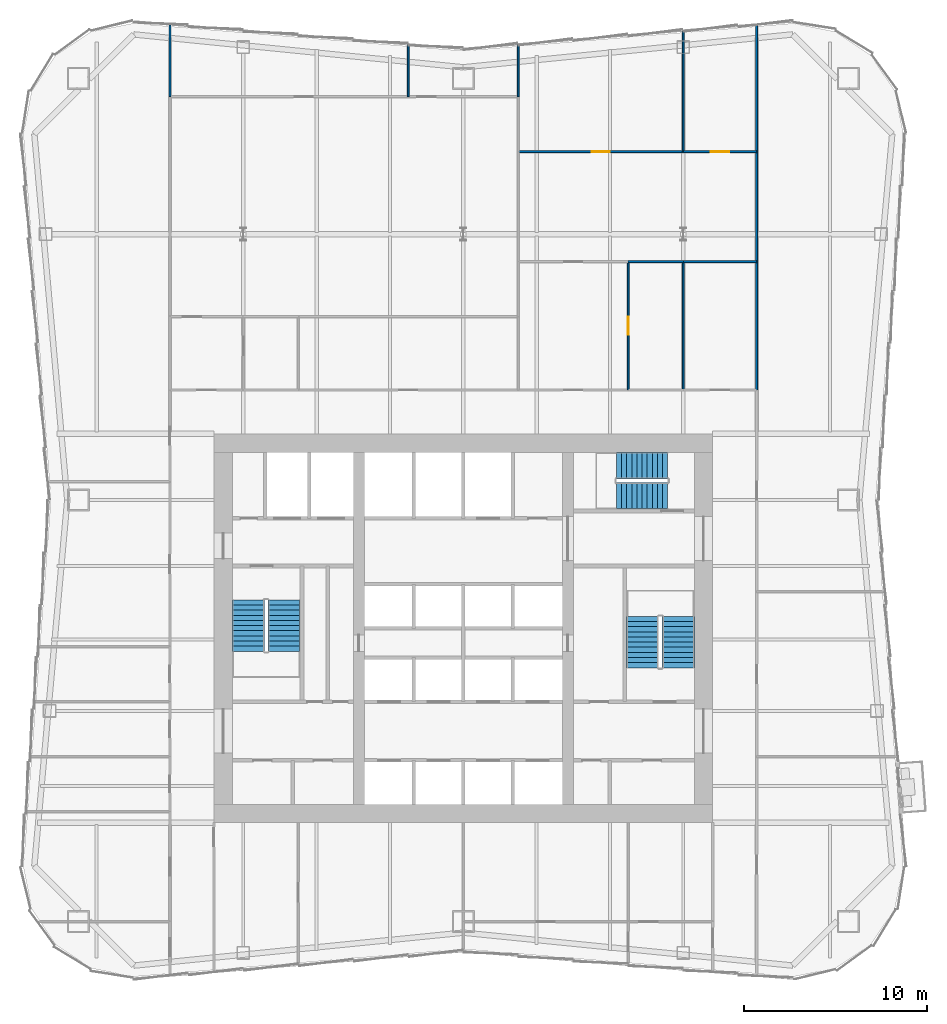
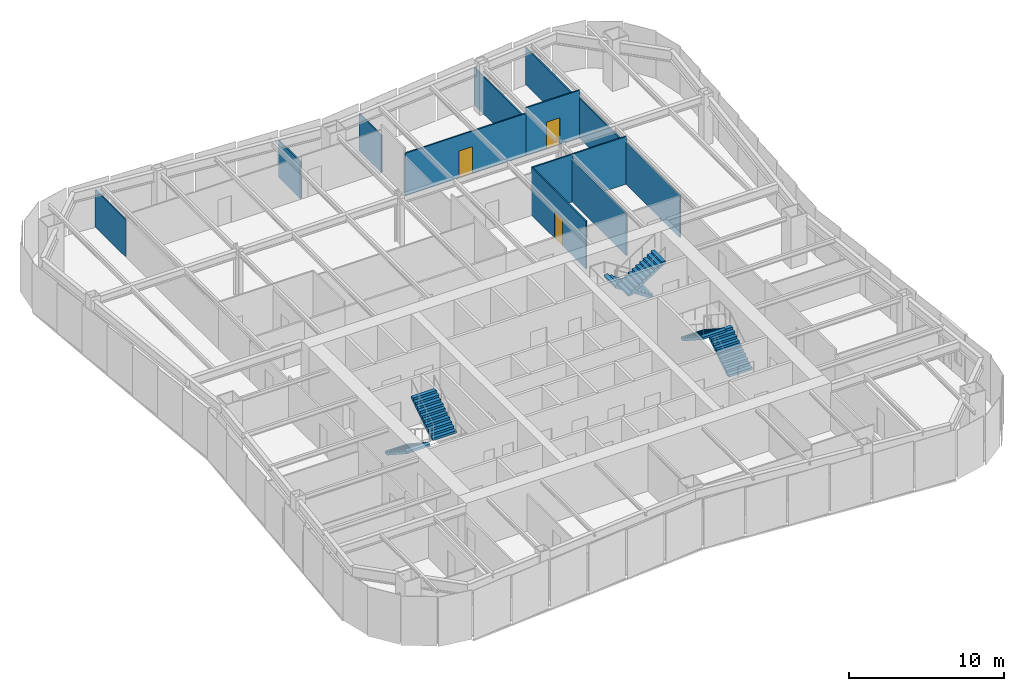
# One storey, part 7 of 9: 13 walls, 6 stair flights, 3 doors, 3 openings, 3 elements without a shape of their own.
"""IFC4 building model written with IfcOpenShell, lengths in metres."""

from ifc_helpers import new_model, si_unit, direction, frame, frame_2d, origin, place, context, subcontext, project, spatial, polyline, rectangle, outline, extrude, material, layer, layer_set, type_object, element, fill, aggregate, save


model = new_model("IFC4")

# Units and contexts
model_context = context("Model", 3, precision=1e-05, world=origin(), true_north=direction((0.0, 1.0)))
body_context = subcontext(model_context, "Body", "Model", "MODEL_VIEW")
ifc_project = project(units=[si_unit("LENGTHUNIT", "METRE"), si_unit("AREAUNIT", "SQUARE_METRE"), si_unit("VOLUMEUNIT", "CUBIC_METRE"), si_unit("PLANEANGLEUNIT", "RADIAN"), si_unit("MASSUNIT", "GRAM", prefix="KILO")], contexts=[model_context])

# Site, building, storey
site_placement = place(None, origin())
site = spatial("IfcSite", under=ifc_project, at=site_placement, CompositionType="ELEMENT")
building_placement = place(site_placement, origin())
building = spatial("IfcBuilding", under=site, at=building_placement, Name="Verdant Reach Tower", CompositionType="ELEMENT")
storey_placement = place(building_placement, frame((0.0, 0.0, 166.0)))
storey = spatial("IfcBuildingStorey", under=building, at=storey_placement, Name="L38", CompositionType="ELEMENT", Elevation=166.0)

# Walls
ifc_material_1 = material(Name="Gypsum board on steel studs", Category="steel")
ifc_layer = layer(ifc_material_1, 0.10009765625)
ifc_layer_set = layer_set([ifc_layer], Name="FL-W1 Partition 100")
wall_type = type_object("IfcWallType", Name="FL-W1 Partition 100", PredefinedType="PARTITIONING", material=ifc_layer_set)
wall_1_placement = place(storey_placement, frame((-16.0, 57.0, 0.0), z_axis=(0.0, 0.0, 1.0), x_axis=(0.0, 1.0, 0.0)))
element("IfcWall", 1, at=wall_1_placement, inside=storey, type_object=wall_type, Name="Partition 38.28", PredefinedType="PARTITIONING", context=body_context, shape_type="SweptSolid", body=[
    extrude(rectangle(XDim=3.913330078125, YDim=0.10009765625, at=frame_2d((1.95654296875, 0.0))), origin(), (0.0, 0.0, 1.0), 2.919921875),
])
wall_2_placement = place(storey_placement, frame((16.0, 48.0, 0.0), z_axis=(0.0, 0.0, 1.0), x_axis=(0.0, -1.0, 0.0)))
element("IfcWall", 2, at=wall_2_placement, inside=storey, type_object=wall_type, Name="Partition 38.31", PredefinedType="PARTITIONING", context=body_context, shape_type="SweptSolid", body=[
    extrude(rectangle(XDim=7.0, YDim=0.10009765625, at=frame_2d((3.5, 0.0))), origin(), (0.0, 0.0, 1.0), 3.320068359375),
])
wall_3_placement = place(storey_placement, frame((16.0, 54.0, 0.0), z_axis=(0.0, 0.0, 1.0), x_axis=(0.0, -1.0, 0.0)))
element("IfcWall", 3, at=wall_3_placement, inside=storey, type_object=wall_type, Name="Partition 38.32", PredefinedType="PARTITIONING", context=body_context, shape_type="SweptSolid", body=[
    extrude(rectangle(XDim=6.0, YDim=0.10009765625, at=frame_2d((3.0, 0.0))), origin(), (0.0, 0.0, 1.0), 3.1201171875),
])
wall_4_placement = place(storey_placement, frame((16.0, 60.913330078125, 0.0), z_axis=(0.0, 0.0, 1.0), x_axis=(0.0, -1.0, 0.0)))
element("IfcWall", 4, at=wall_4_placement, inside=storey, type_object=wall_type, Name="Partition 38.33", PredefinedType="PARTITIONING", context=body_context, shape_type="SweptSolid", body=[
    extrude(rectangle(XDim=6.913330078125, YDim=0.10009765625, at=frame_2d((3.45654296875, 0.0))), origin(), (0.0, 0.0, 1.0), 2.919921875),
])
wall_5_placement = place(storey_placement, frame((-3.0, 57.0, 0.0), z_axis=(0.0, 0.0, 1.0), x_axis=(0.0, 1.0, 0.0)))
element("IfcWall", 5, at=wall_5_placement, inside=storey, type_object=wall_type, Name="Partition 38.52", PredefinedType="PARTITIONING", context=body_context, shape_type="SweptSolid", body=[
    extrude(rectangle(XDim=2.830078125, YDim=0.10009765625, at=frame_2d((1.4150390625, 0.0))), origin(), (0.0, 0.0, 1.0), 2.919921875),
])
wall_6_placement = place(storey_placement, frame((3.0, 56.99609375, 0.0), z_axis=(0.0, 0.0, 1.0), x_axis=(0.0, 1.0, 0.0)))
element("IfcWall", 6, at=wall_6_placement, inside=storey, type_object=wall_type, Name="Partition 38.53", PredefinedType="PARTITIONING", context=body_context, shape_type="SweptSolid", body=[
    extrude(rectangle(XDim=2.833984375, YDim=0.10009765625, at=frame_2d((1.4169921875, 0.0))), origin(), (0.0, 0.0, 1.0), 2.919921875),
])

# Wall, opening, door
wall_7_placement = place(storey_placement, frame((9.0, 48.0, 0.0), z_axis=(0.0, 0.0, 1.0), x_axis=(0.0, -1.0, 0.0)))
wall_7 = element("IfcWall", 7, at=wall_7_placement, inside=storey, type_object=wall_type, Name="Partition 38.54", PredefinedType="PARTITIONING", context=body_context, shape_type="SweptSolid", body=[
    extrude(rectangle(XDim=7.0, YDim=0.10009765625, at=frame_2d((3.5, 0.0))), origin(), (0.0, 0.0, 1.0), 3.75),
])
opening_1_placement = place(wall_7_placement, frame((3.0, 0.0, 0.0)))
opening_1 = element("IfcOpeningElement", 8, at=opening_1_placement, cuts=wall_7, Name="Opening D3", PredefinedType="OPENING", context=body_context, shape_type="SweptSolid", body=[
    extrude(rectangle(XDim=1.0, YDim=2.10009765625, at=frame_2d((0.5, 1.050048828125))), frame((0.0, 0.06005859375, 0.0), z_axis=(0.0, -1.0, 0.0), x_axis=(1.0, 0.0, 0.0)), (0.0, 0.0, 1.0), 0.1201171875),
])
ifc_material_2 = material(Name="Painted timber door leaf", Category="wood")
door_type = type_object("IfcDoorType", Name="FL-D3 Door 1000x2100", OperationType="NOTDEFINED", PredefinedType="DOOR", material=ifc_material_2)
door_1_placement = place(opening_1_placement, origin())
door_1 = element("IfcDoor", 9, at=door_1_placement, inside=storey, type_object=door_type, Name="Door 38-025", OperationType="SINGLE_SWING_LEFT", OverallHeight=2.10009765625, OverallWidth=1.0, PredefinedType="DOOR", context=body_context, shape_type="SweptSolid", body=[
    extrude(rectangle(XDim=1.0, YDim=2.10009765625, at=frame_2d((0.5, 1.050048828125))), frame((0.0, 0.02490234375, 0.0), z_axis=(0.0, -1.0, 0.0), x_axis=(1.0, 0.0, 0.0)), (0.0, 0.0, 1.0), 0.050048828125),
])
fill(opening_1, door_1)

# Walls
wall_8_placement = place(storey_placement, frame((12.0, 41.0, 0.0), z_axis=(0.0, 0.0, 1.0), x_axis=(0.0, 1.0, 0.0)))
element("IfcWall", 10, at=wall_8_placement, inside=storey, type_object=wall_type, Name="Partition 38.56", PredefinedType="PARTITIONING", context=body_context, shape_type="SweptSolid", body=[
    extrude(rectangle(XDim=7.0, YDim=0.10009765625, at=frame_2d((3.5, 0.0))), origin(), (0.0, 0.0, 1.0), 3.320068359375),
])
wall_9_placement = place(storey_placement, frame((12.00390625, 48.0, 0.0), z_axis=(0.0, 0.0, 1.0), x_axis=(-1.0, 0.0, 0.0)))
element("IfcWall", 11, at=wall_9_placement, inside=storey, type_object=wall_type, Name="Partition 38.57", PredefinedType="PARTITIONING", context=body_context, shape_type="SweptSolid", body=[
    extrude(rectangle(XDim=3.0078125, YDim=0.10009765625, at=frame_2d((1.50390625, 0.0))), origin(), (0.0, 0.0, 1.0), 3.75),
])
wall_10_placement = place(storey_placement, frame((16.0, 48.0, 0.0), z_axis=(0.0, 0.0, 1.0), x_axis=(-1.0, 0.0, 0.0)))
element("IfcWall", 12, at=wall_10_placement, inside=storey, type_object=wall_type, Name="Partition 38.58", PredefinedType="PARTITIONING", context=body_context, shape_type="SweptSolid", body=[
    extrude(rectangle(XDim=4.00390625, YDim=0.10009765625, at=frame_2d((2.001953125, 0.0))), origin(), (0.0, 0.0, 1.0), 3.75),
])

# Wall, opening, door
wall_11_placement = place(storey_placement, frame((3.0, 54.0, 0.0), z_axis=(0.0, 0.0, 1.0), x_axis=(1.0, 0.0, 0.0)))
wall_11 = element("IfcWall", 13, at=wall_11_placement, inside=storey, type_object=wall_type, Name="Partition 38.59", PredefinedType="PARTITIONING", context=body_context, shape_type="SweptSolid", body=[
    extrude(rectangle(XDim=9.0, YDim=0.10009765625, at=frame_2d((4.5, 0.0))), origin(), (0.0, 0.0, 1.0), 3.320068359375),
])
opening_2_placement = place(wall_11_placement, frame((4.0, 0.0, 0.0)))
opening_2 = element("IfcOpeningElement", 14, at=opening_2_placement, cuts=wall_11, Name="Opening D3", PredefinedType="OPENING", context=body_context, shape_type="SweptSolid", body=[
    extrude(rectangle(XDim=1.0, YDim=2.10009765625, at=frame_2d((0.5, 1.050048828125))), frame((0.0, 0.06005859375, 0.0), z_axis=(0.0, -1.0, 0.0), x_axis=(1.0, 0.0, 0.0)), (0.0, 0.0, 1.0), 0.1201171875),
])
door_2_placement = place(opening_2_placement, origin())
door_2 = element("IfcDoor", 15, at=door_2_placement, inside=storey, type_object=door_type, Name="Door 38-027", OperationType="SINGLE_SWING_LEFT", OverallHeight=2.10009765625, OverallWidth=1.0, PredefinedType="DOOR", context=body_context, shape_type="SweptSolid", body=[
    extrude(rectangle(XDim=1.0, YDim=2.10009765625, at=frame_2d((0.5, 1.050048828125))), frame((0.0, 0.02490234375, 0.0), z_axis=(0.0, -1.0, 0.0), x_axis=(1.0, 0.0, 0.0)), (0.0, 0.0, 1.0), 0.050048828125),
])
fill(opening_2, door_2)

wall_12_placement = place(storey_placement, frame((12.0, 54.0, 0.0), z_axis=(0.0, 0.0, 1.0), x_axis=(1.0, 0.0, 0.0)))
wall_12 = element("IfcWall", 16, at=wall_12_placement, inside=storey, type_object=wall_type, Name="Partition 38.60", PredefinedType="PARTITIONING", context=body_context, shape_type="SweptSolid", body=[
    extrude(rectangle(XDim=4.0, YDim=0.10009765625, at=frame_2d((2.0, 0.0))), origin(), (0.0, 0.0, 1.0), 3.75),
])
opening_3_placement = place(wall_12_placement, frame((1.5, 0.0, 0.0)))
opening_3 = element("IfcOpeningElement", 17, at=opening_3_placement, cuts=wall_12, Name="Opening D3", PredefinedType="OPENING", context=body_context, shape_type="SweptSolid", body=[
    extrude(rectangle(XDim=1.0, YDim=2.10009765625, at=frame_2d((0.5, 1.050048828125))), frame((0.0, 0.06005859375, 0.0), z_axis=(0.0, -1.0, 0.0), x_axis=(1.0, 0.0, 0.0)), (0.0, 0.0, 1.0), 0.1201171875),
])
door_3_placement = place(opening_3_placement, origin())
door_3 = element("IfcDoor", 18, at=door_3_placement, inside=storey, type_object=door_type, Name="Door 38-028", OperationType="SINGLE_SWING_RIGHT", OverallHeight=2.10009765625, OverallWidth=1.0, PredefinedType="DOOR", context=body_context, shape_type="SweptSolid", body=[
    extrude(rectangle(XDim=1.0, YDim=2.10009765625, at=frame_2d((0.5, 1.050048828125))), frame((0.0, 0.02490234375, 0.0), z_axis=(0.0, -1.0, 0.0), x_axis=(1.0, 0.0, 0.0)), (0.0, 0.0, 1.0), 0.050048828125),
])
fill(opening_3, door_3)

# Wall
wall_13_placement = place(storey_placement, frame((12.0, 54.0, 0.0), z_axis=(0.0, 0.0, 1.0), x_axis=(0.0, 1.0, 0.0)))
element("IfcWall", 19, at=wall_13_placement, inside=storey, type_object=wall_type, Name="Partition 38.61", PredefinedType="PARTITIONING", context=body_context, shape_type="SweptSolid", body=[
    extrude(rectangle(XDim=6.580078125, YDim=0.10009765625, at=frame_2d((3.2900390625, 0.0))), origin(), (0.0, 0.0, 1.0), 2.919921875),
])

# Stair, stair flights
ifc_material_3 = material(Name="Concrete C40/50", Category="concrete")
stair_type = type_object("IfcStairType", Name="CO-STAIR", PredefinedType="HALF_TURN_STAIR", material=ifc_material_3)
stair_1_placement = place(storey_placement, origin())
stair_1 = element("IfcStair", 20, at=stair_1_placement, inside=storey, type_object=stair_type, Name="L38 Exit stair 1", PredefinedType="HALF_TURN_STAIR")
stair_flight_type = type_object("IfcStairFlightType", Name="CO-STAIR-FLIGHT", PredefinedType="STRAIGHT", material=ifc_material_3)
stair_flight_1_placement = place(storey_placement, frame((-11.72509765625, 29.550048828125, 0.0), z_axis=(0.0, 0.0, 1.0), x_axis=(0.0, -1.0, 0.0)))
stair_flight_1 = element("IfcStairFlight", 21, at=stair_flight_1_placement, type_object=stair_flight_type, Name="ST-1 flight 1", NumberOfRisers=11, NumberOfTreads=10, PredefinedType="STRAIGHT", RiserHeight=0.181818182, TreadLength=0.28, context=body_context, shape_type="SweptSolid", body=[
    extrude(outline(polyline([(0.0, 0.0), (0.0, 0.181884765625), (0.280029296875, 0.181884765625), (0.280029296875, 0.363525390625), (0.56005859375, 0.363525390625), (0.56005859375, 0.54541015625), (0.840087890625, 0.54541015625), (0.840087890625, 0.727294921875), (1.1201171875, 0.727294921875), (1.1201171875, 0.9091796875), (1.39990234375, 0.9091796875), (1.39990234375, 1.0908203125), (1.679931640625, 1.0908203125), (1.679931640625, 1.272705078125), (1.9599609375, 1.272705078125), (1.9599609375, 1.45458984375), (2.239990234375, 1.45458984375), (2.239990234375, 1.636474609375), (2.52001953125, 1.636474609375), (2.52001953125, 1.818115234375), (2.800048828125, 1.818115234375), (2.800048828125, 2.0), (2.800048828125, 1.639404296875), (0.275146484375, 0.0), (0.0, 0.0)])), frame((0.0, 0.875, 0.0), z_axis=(0.0, -1.0, 0.0), x_axis=(1.0, 0.0, 0.0)), (0.0, 0.0, 1.0), 1.75),
])
stair_flight_2_placement = place(storey_placement, frame((-9.77490234375, 26.75, 2.0), z_axis=(0.0, 0.0, 1.0), x_axis=(0.0, 1.0, 0.0)))
stair_flight_2 = element("IfcStairFlight", 22, at=stair_flight_2_placement, type_object=stair_flight_type, Name="ST-1 flight 2", NumberOfRisers=11, NumberOfTreads=10, PredefinedType="STRAIGHT", RiserHeight=0.181818182, TreadLength=0.28, context=body_context, shape_type="SweptSolid", body=[
    extrude(outline(polyline([(0.0, 0.0), (0.0, 0.181884765625), (0.280029296875, 0.181884765625), (0.280029296875, 0.363525390625), (0.56005859375, 0.363525390625), (0.56005859375, 0.54541015625), (0.840087890625, 0.54541015625), (0.840087890625, 0.727294921875), (1.1201171875, 0.727294921875), (1.1201171875, 0.9091796875), (1.39990234375, 0.9091796875), (1.39990234375, 1.0908203125), (1.679931640625, 1.0908203125), (1.679931640625, 1.272705078125), (1.9599609375, 1.272705078125), (1.9599609375, 1.45458984375), (2.239990234375, 1.45458984375), (2.239990234375, 1.636474609375), (2.52001953125, 1.636474609375), (2.52001953125, 1.818115234375), (2.800048828125, 1.818115234375), (2.800048828125, 2.0), (2.800048828125, 1.639404296875), (0.275146484375, 0.0), (0.0, 0.0)])), frame((0.0, 0.875, 0.0), z_axis=(0.0, -1.0, 0.0), x_axis=(1.0, 0.0, 0.0)), (0.0, 0.0, 1.0), 1.75),
])
aggregate(stair_1, [stair_flight_1, stair_flight_2])

stair_2_placement = place(storey_placement, origin())
stair_2 = element("IfcStair", 23, at=stair_2_placement, inside=storey, type_object=stair_type, Name="L38 Exit stair 2", PredefinedType="HALF_TURN_STAIR")
stair_flight_3_placement = place(storey_placement, frame((11.72509765625, 25.85009765625, 0.0), z_axis=(0.0, 0.0, 1.0), x_axis=(0.0, 1.0, 0.0)))
stair_flight_3 = element("IfcStairFlight", 24, at=stair_flight_3_placement, type_object=stair_flight_type, Name="ST-2 flight 1", NumberOfRisers=11, NumberOfTreads=10, PredefinedType="STRAIGHT", RiserHeight=0.181818182, TreadLength=0.28, context=body_context, shape_type="SweptSolid", body=[
    extrude(outline(polyline([(0.0, 0.0), (0.0, 0.181884765625), (0.280029296875, 0.181884765625), (0.280029296875, 0.363525390625), (0.56005859375, 0.363525390625), (0.56005859375, 0.54541015625), (0.840087890625, 0.54541015625), (0.840087890625, 0.727294921875), (1.1201171875, 0.727294921875), (1.1201171875, 0.9091796875), (1.39990234375, 0.9091796875), (1.39990234375, 1.0908203125), (1.679931640625, 1.0908203125), (1.679931640625, 1.272705078125), (1.9599609375, 1.272705078125), (1.9599609375, 1.45458984375), (2.239990234375, 1.45458984375), (2.239990234375, 1.636474609375), (2.52001953125, 1.636474609375), (2.52001953125, 1.818115234375), (2.800048828125, 1.818115234375), (2.800048828125, 2.0), (2.800048828125, 1.639404296875), (0.275146484375, 0.0), (0.0, 0.0)])), frame((0.0, 0.875, 0.0), z_axis=(0.0, -1.0, 0.0), x_axis=(1.0, 0.0, 0.0)), (0.0, 0.0, 1.0), 1.75),
])
stair_flight_4_placement = place(storey_placement, frame((9.77490234375, 28.64990234375, 2.0), z_axis=(0.0, 0.0, 1.0), x_axis=(0.0, -1.0, 0.0)))
stair_flight_4 = element("IfcStairFlight", 25, at=stair_flight_4_placement, type_object=stair_flight_type, Name="ST-2 flight 2", NumberOfRisers=11, NumberOfTreads=10, PredefinedType="STRAIGHT", RiserHeight=0.181818182, TreadLength=0.28, context=body_context, shape_type="SweptSolid", body=[
    extrude(outline(polyline([(0.0, 0.0), (0.0, 0.181884765625), (0.280029296875, 0.181884765625), (0.280029296875, 0.363525390625), (0.56005859375, 0.363525390625), (0.56005859375, 0.54541015625), (0.840087890625, 0.54541015625), (0.840087890625, 0.727294921875), (1.1201171875, 0.727294921875), (1.1201171875, 0.9091796875), (1.39990234375, 0.9091796875), (1.39990234375, 1.0908203125), (1.679931640625, 1.0908203125), (1.679931640625, 1.272705078125), (1.9599609375, 1.272705078125), (1.9599609375, 1.45458984375), (2.239990234375, 1.45458984375), (2.239990234375, 1.636474609375), (2.52001953125, 1.636474609375), (2.52001953125, 1.818115234375), (2.800048828125, 1.818115234375), (2.800048828125, 2.0), (2.800048828125, 1.639404296875), (0.275146484375, 0.0), (0.0, 0.0)])), frame((0.0, 0.875, 0.0), z_axis=(0.0, -1.0, 0.0), x_axis=(1.0, 0.0, 0.0)), (0.0, 0.0, 1.0), 1.75),
])
aggregate(stair_2, [stair_flight_3, stair_flight_4])

stair_3_placement = place(storey_placement, origin())
stair_3 = element("IfcStair", 26, at=stair_3_placement, inside=storey, type_object=stair_type, Name="L38 Exit stair 3", PredefinedType="HALF_TURN_STAIR")
stair_flight_5_placement = place(storey_placement, frame((11.14990234375, 36.875, 0.0), z_axis=(0.0, 0.0, 1.0), x_axis=(-1.0, 0.0, 0.0)))
stair_flight_5 = element("IfcStairFlight", 27, at=stair_flight_5_placement, type_object=stair_flight_type, Name="ST-3 flight 1", NumberOfRisers=11, NumberOfTreads=10, PredefinedType="STRAIGHT", RiserHeight=0.181818182, TreadLength=0.28, context=body_context, shape_type="SweptSolid", body=[
    extrude(outline(polyline([(0.0, 0.0), (0.0, 0.181884765625), (0.280029296875, 0.181884765625), (0.280029296875, 0.363525390625), (0.56005859375, 0.363525390625), (0.56005859375, 0.54541015625), (0.840087890625, 0.54541015625), (0.840087890625, 0.727294921875), (1.1201171875, 0.727294921875), (1.1201171875, 0.9091796875), (1.39990234375, 0.9091796875), (1.39990234375, 1.0908203125), (1.679931640625, 1.0908203125), (1.679931640625, 1.272705078125), (1.9599609375, 1.272705078125), (1.9599609375, 1.45458984375), (2.239990234375, 1.45458984375), (2.239990234375, 1.636474609375), (2.52001953125, 1.636474609375), (2.52001953125, 1.818115234375), (2.800048828125, 1.818115234375), (2.800048828125, 2.0), (2.800048828125, 1.639404296875), (0.275146484375, 0.0), (0.0, 0.0)])), frame((0.0, 0.72509765625, 0.0), z_axis=(0.0, -1.0, 0.0), x_axis=(1.0, 0.0, 0.0)), (0.0, 0.0, 1.0), 1.449951171875),
])
stair_flight_6_placement = place(storey_placement, frame((8.35009765625, 35.22509765625, 2.0), z_axis=(0.0, 0.0, 1.0), x_axis=(1.0, 0.0, 0.0)))
stair_flight_6 = element("IfcStairFlight", 28, at=stair_flight_6_placement, type_object=stair_flight_type, Name="ST-3 flight 2", NumberOfRisers=11, NumberOfTreads=10, PredefinedType="STRAIGHT", RiserHeight=0.181818182, TreadLength=0.28, context=body_context, shape_type="SweptSolid", body=[
    extrude(outline(polyline([(0.0, 0.0), (0.0, 0.181884765625), (0.280029296875, 0.181884765625), (0.280029296875, 0.363525390625), (0.56005859375, 0.363525390625), (0.56005859375, 0.54541015625), (0.840087890625, 0.54541015625), (0.840087890625, 0.727294921875), (1.1201171875, 0.727294921875), (1.1201171875, 0.9091796875), (1.39990234375, 0.9091796875), (1.39990234375, 1.0908203125), (1.679931640625, 1.0908203125), (1.679931640625, 1.272705078125), (1.9599609375, 1.272705078125), (1.9599609375, 1.45458984375), (2.239990234375, 1.45458984375), (2.239990234375, 1.636474609375), (2.52001953125, 1.636474609375), (2.52001953125, 1.818115234375), (2.800048828125, 1.818115234375), (2.800048828125, 2.0), (2.800048828125, 1.639404296875), (0.275146484375, 0.0), (0.0, 0.0)])), frame((0.0, 0.72509765625, 0.0), z_axis=(0.0, -1.0, 0.0), x_axis=(1.0, 0.0, 0.0)), (0.0, 0.0, 1.0), 1.449951171875),
])
aggregate(stair_3, [stair_flight_5, stair_flight_6])

save(model, "model.ifc")
